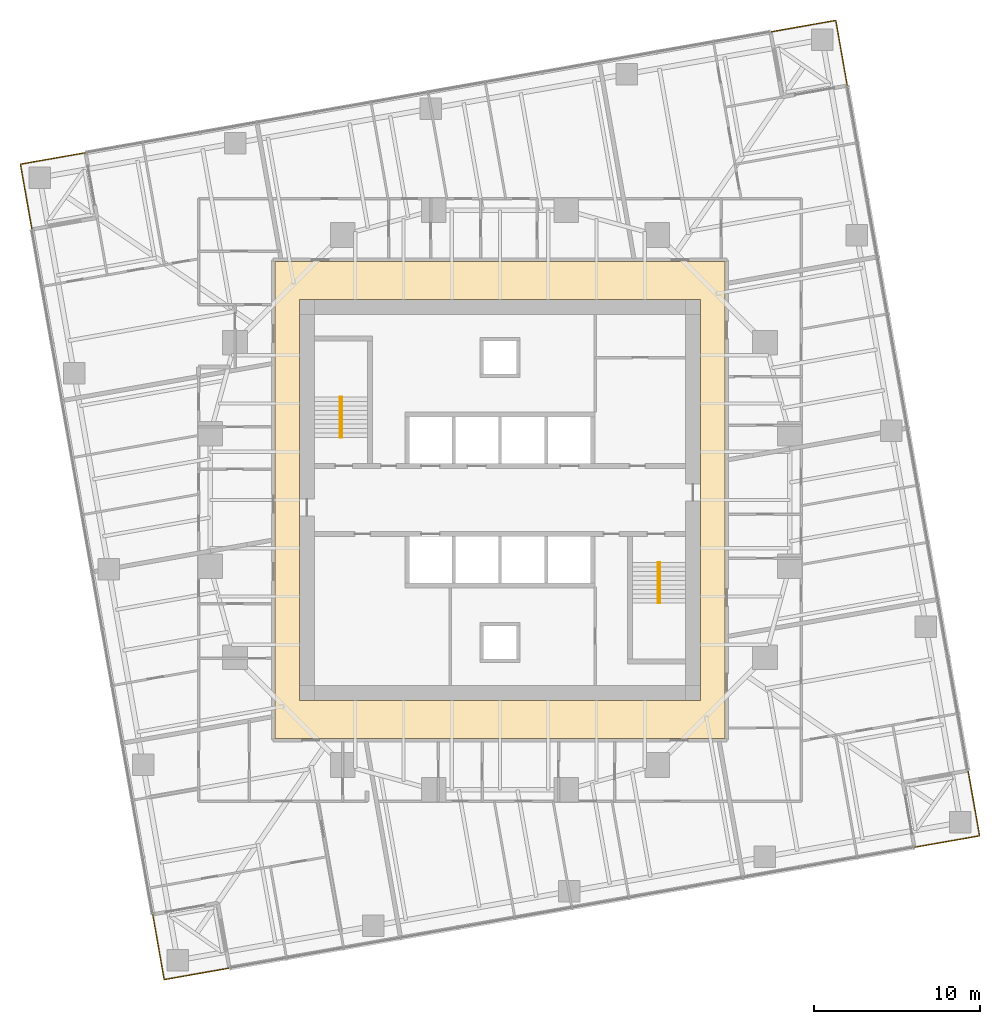
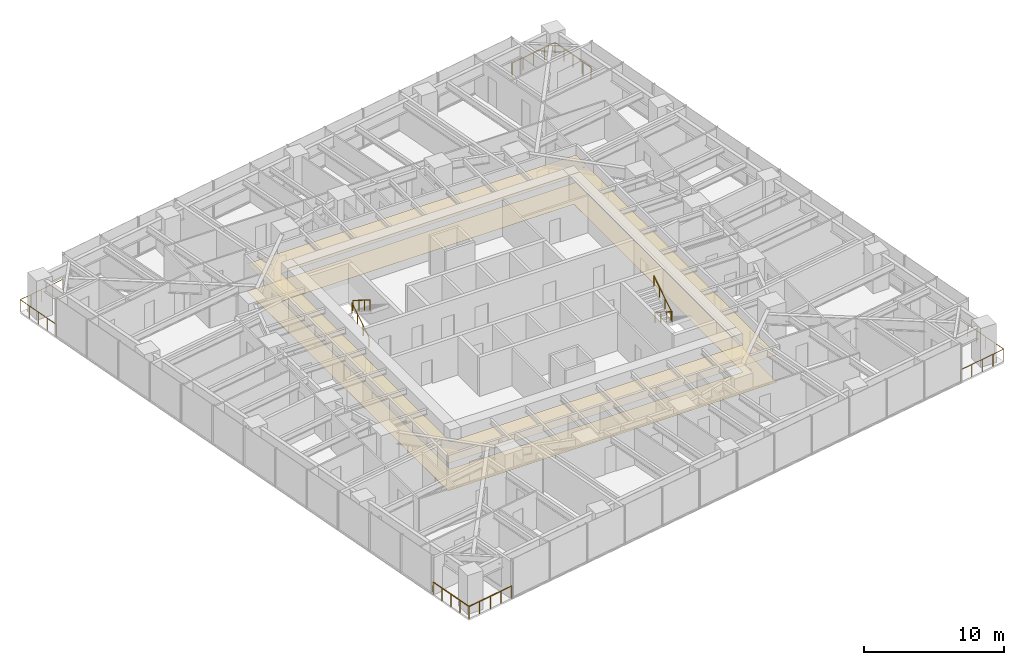
# One storey, part 14 of 14: 8 railings, 2 coverings, 2 elements without a shape of their own.
"""IFC4 building model written with IfcOpenShell, lengths in metres."""

from ifc_helpers import new_model, si_unit, direction, frame, origin, origin_2d, place, context, subcontext, project, spatial, polyline, circle, outline, extrude, material, layer, layer_set, type_object, element, aggregate, save


model = new_model("IFC4")

# Units and contexts
model_context = context("Model", 3, precision=1e-05, world=origin(), true_north=direction((0.0, 1.0)))
body_context = subcontext(model_context, "Body", "Model", "MODEL_VIEW")
ifc_project = project(units=[si_unit("LENGTHUNIT", "METRE"), si_unit("AREAUNIT", "SQUARE_METRE"), si_unit("VOLUMEUNIT", "CUBIC_METRE"), si_unit("PLANEANGLEUNIT", "RADIAN"), si_unit("MASSUNIT", "GRAM", prefix="KILO")], contexts=[model_context])

# Site, building, storey
site_placement = place(None, origin())
site = spatial("IfcSite", under=ifc_project, at=site_placement, CompositionType="ELEMENT")
building_placement = place(site_placement, origin())
building = spatial("IfcBuilding", under=site, at=building_placement, Name="Torsade Residences", CompositionType="ELEMENT")
storey_placement = place(building_placement, frame((0.0, 0.0, 99.800048828125)))
storey = spatial("IfcBuildingStorey", under=building, at=storey_placement, Name="L27", CompositionType="ELEMENT", Elevation=99.800048828125)

# Coverings
ifc_material_1 = material(Name="Nylon carpet tile on underlay", Category="textile")
ifc_layer_1 = layer(ifc_material_1, 0.010009765625)
ifc_layer_set_1 = layer_set([ifc_layer_1], Name="Nylon carpet tile on underlay")
covering_type_1 = type_object("IfcCoveringType", Name="CORRIDOR CARPET TILE 10", PredefinedType="FLOORING", material=ifc_layer_set_1)
covering_1_placement = place(storey_placement, origin())
element("IfcCovering", 1, at=covering_1_placement, inside=storey, type_object=covering_type_1, Name="Corridor carpet L27", PredefinedType="FLOORING", context=body_context, shape_type="SweptSolid", body=[
    extrude(outline(polyline([(53.60009765625, 15.60009765625), (53.60009765625, 44.39990234375), (26.39990234375, 44.39990234375), (26.39990234375, 15.60009765625), (53.60009765625, 15.60009765625)]), holes=[polyline([(52.10009765625, 42.10009765625), (27.89990234375, 42.10009765625), (27.89990234375, 17.89990234375), (52.10009765625, 17.89990234375), (52.10009765625, 42.10009765625)])]), origin(), (0.0, 0.0, 1.0), 0.010009765625),
])
ifc_material_2 = material(Name="Plasterboard on suspended steel grid", Category="steel")
ifc_layer_2 = layer(ifc_material_2, 0.012939453125)
ifc_layer_set_2 = layer_set([ifc_layer_2], Name="Plasterboard on suspended steel grid")
covering_type_2 = type_object("IfcCoveringType", Name="CORRIDOR SUSPENDED CEILING 13", PredefinedType="CEILING", material=ifc_layer_set_2)
covering_2_placement = place(storey_placement, frame((0.0, 0.0, 2.39990234375)))
element("IfcCovering", 2, at=covering_2_placement, inside=storey, type_object=covering_type_2, Name="Corridor ceiling L27", PredefinedType="CEILING", context=body_context, shape_type="SweptSolid", body=[
    extrude(outline(polyline([(53.60009765625, 15.60009765625), (53.60009765625, 44.39990234375), (26.39990234375, 44.39990234375), (26.39990234375, 15.60009765625), (53.60009765625, 15.60009765625)]), holes=[polyline([(52.10009765625, 42.10009765625), (27.89990234375, 42.10009765625), (27.89990234375, 17.89990234375), (52.10009765625, 17.89990234375), (52.10009765625, 42.10009765625)])]), origin(), (0.0, 0.0, 1.0), 0.012939453125),
])

# Stair, railings
ifc_material_3 = material(Name="Precast concrete 40 MPa", Category="concrete")
stair_type = type_object("IfcStairType", Name="HALF-TURN FIRE STAIR 1500x3400", PredefinedType="HALF_TURN_STAIR", material=ifc_material_3)
stair_1_placement = place(storey_placement, origin())
stair_1 = element("IfcStair", 3, at=stair_1_placement, inside=storey, type_object=stair_type, Name="Stair ST1 L27", PredefinedType="HALF_TURN_STAIR")
ifc_material_4 = material(Name="Steel handrail", Category="steel")
railing_type_1 = type_object("IfcRailingType", Name="STAIR HANDRAIL 900", PredefinedType="HANDRAIL", material=ifc_material_4)
railing_1_placement = place(storey_placement, frame((30.35009765625, 33.780029296875, 0.169921875)))
railing_1 = element("IfcRailing", 4, at=railing_1_placement, type_object=railing_type_1, Name="Handrail ST1 flight 1 L27", PredefinedType="HANDRAIL", context=body_context, shape_type="SweptSolid", body=[
    extrude(circle(Radius=0.02392578125, at=origin_2d()), frame((0.0, 0.0, 0.8759765625), z_axis=(0.0, 0.846221481393, 0.532831309544), x_axis=(-1.0, 0.0, 0.0)), (0.0, 0.0, 1.0), 2.87158203125),
    extrude(circle(Radius=0.02099609375, at=origin_2d()), origin(), (0.0, 0.0, 1.0), 0.851806640625),
    extrude(circle(Radius=0.02099609375, at=origin_2d()), frame((0.0, 0.81005859375, 0.510009765625)), (0.0, 0.0, 1.0), 0.851806640625),
    extrude(circle(Radius=0.02099609375, at=origin_2d()), frame((0.0, 1.619873046875, 1.02001953125)), (0.0, 0.0, 1.0), 0.851806640625),
    extrude(circle(Radius=0.02099609375, at=origin_2d()), frame((0.0, 2.429931640625, 1.530029296875)), (0.0, 0.0, 1.0), 0.851806640625),
])
railing_2_placement = place(storey_placement, frame((30.449951171875, 36.2099609375, 1.869873046875)))
railing_2 = element("IfcRailing", 5, at=railing_2_placement, type_object=railing_type_1, Name="Handrail ST1 flight 2 L27", PredefinedType="HANDRAIL", context=body_context, shape_type="SweptSolid", body=[
    extrude(circle(Radius=0.02392578125, at=origin_2d()), frame((0.0, 0.0, 0.8759765625), z_axis=(0.0, -0.846221481393, 0.532831309544), x_axis=(1.0, 0.0, 0.0)), (0.0, 0.0, 1.0), 2.87158203125),
    extrude(circle(Radius=0.02099609375, at=origin_2d()), origin(), (0.0, 0.0, 1.0), 0.851806640625),
    extrude(circle(Radius=0.02099609375, at=origin_2d()), frame((0.0, -0.81005859375, 0.510009765625)), (0.0, 0.0, 1.0), 0.851806640625),
    extrude(circle(Radius=0.02099609375, at=origin_2d()), frame((0.0, -1.619873046875, 1.02001953125)), (0.0, 0.0, 1.0), 0.851806640625),
    extrude(circle(Radius=0.02099609375, at=origin_2d()), frame((0.0, -2.429931640625, 1.530029296875)), (0.0, 0.0, 1.0), 0.851806640625),
])
aggregate(stair_1, [railing_1, railing_2])

stair_2_placement = place(storey_placement, origin())
stair_2 = element("IfcStair", 6, at=stair_2_placement, inside=storey, type_object=stair_type, Name="Stair ST2 L27", PredefinedType="HALF_TURN_STAIR")
railing_3_placement = place(storey_placement, frame((49.64990234375, 26.219970703125, 0.169921875)))
railing_3 = element("IfcRailing", 7, at=railing_3_placement, type_object=railing_type_1, Name="Handrail ST2 flight 1 L27", PredefinedType="HANDRAIL", context=body_context, shape_type="SweptSolid", body=[
    extrude(circle(Radius=0.02392578125, at=origin_2d()), frame((0.0, 0.0, 0.8759765625), z_axis=(0.0, -0.846221481393, 0.532831309544), x_axis=(1.0, 0.0, 0.0)), (0.0, 0.0, 1.0), 2.87158203125),
    extrude(circle(Radius=0.02099609375, at=origin_2d()), origin(), (0.0, 0.0, 1.0), 0.851806640625),
    extrude(circle(Radius=0.02099609375, at=origin_2d()), frame((0.0, -0.81005859375, 0.510009765625)), (0.0, 0.0, 1.0), 0.851806640625),
    extrude(circle(Radius=0.02099609375, at=origin_2d()), frame((0.0, -1.619873046875, 1.02001953125)), (0.0, 0.0, 1.0), 0.851806640625),
    extrude(circle(Radius=0.02099609375, at=origin_2d()), frame((0.0, -2.429931640625, 1.530029296875)), (0.0, 0.0, 1.0), 0.851806640625),
])
railing_4_placement = place(storey_placement, frame((49.550048828125, 23.7900390625, 1.869873046875)))
railing_4 = element("IfcRailing", 8, at=railing_4_placement, type_object=railing_type_1, Name="Handrail ST2 flight 2 L27", PredefinedType="HANDRAIL", context=body_context, shape_type="SweptSolid", body=[
    extrude(circle(Radius=0.02392578125, at=origin_2d()), frame((0.0, 0.0, 0.8759765625), z_axis=(0.0, 0.846221481393, 0.532831309544), x_axis=(-1.0, 0.0, 0.0)), (0.0, 0.0, 1.0), 2.87158203125),
    extrude(circle(Radius=0.02099609375, at=origin_2d()), origin(), (0.0, 0.0, 1.0), 0.851806640625),
    extrude(circle(Radius=0.02099609375, at=origin_2d()), frame((0.0, 0.81005859375, 0.510009765625)), (0.0, 0.0, 1.0), 0.851806640625),
    extrude(circle(Radius=0.02099609375, at=origin_2d()), frame((0.0, 1.619873046875, 1.02001953125)), (0.0, 0.0, 1.0), 0.851806640625),
    extrude(circle(Radius=0.02099609375, at=origin_2d()), frame((0.0, 2.429931640625, 1.530029296875)), (0.0, 0.0, 1.0), 0.851806640625),
])
aggregate(stair_2, [railing_3, railing_4])

# Railings
ifc_material_5 = material(Name="Laminated glass balustrade", Category="glass")
railing_type_2 = type_object("IfcRailingType", Name="TERRACE GLASS BALUSTRADE 1100", PredefinedType="BALUSTRADE", material=ifc_material_5)
railing_5_placement = place(storey_placement, frame((65.022216796875, 9.0263671875, 0.0)))
element("IfcRailing", 9, at=railing_5_placement, inside=storey, type_object=railing_type_2, Name="Terrace balustrade SE L27", PredefinedType="BALUSTRADE", context=body_context, shape_type="SweptSolid", body=[
    extrude(circle(Radius=0.02392578125, at=origin_2d()), frame((0.0, 0.0, 1.076171875), z_axis=(0.984808127031, 0.173646056486, 0.0), x_axis=(-0.173646056486, 0.984808127031, 0.0)), (0.0, 0.0, 1.0), 4.0),
    extrude(circle(Radius=0.02392578125, at=origin_2d()), frame((3.939208984375, 0.694580078125, 1.076171875), z_axis=(-0.173646056486, 0.984808127031, 0.0), x_axis=(-0.984808127031, -0.173646056486, 0.0)), (0.0, 0.0, 1.0), 4.0),
    extrude(circle(Radius=0.02099609375, at=origin_2d()), origin(), (0.0, 0.0, 1.0), 1.052001953125),
    extrude(circle(Radius=0.02099609375, at=origin_2d()), frame((0.98486328125, 0.173583984375, 0.0)), (0.0, 0.0, 1.0), 1.052001953125),
    extrude(circle(Radius=0.02099609375, at=origin_2d()), frame((1.9697265625, 0.34716796875, 0.0)), (0.0, 0.0, 1.0), 1.052001953125),
    extrude(circle(Radius=0.02099609375, at=origin_2d()), frame((2.954345703125, 0.52099609375, 0.0)), (0.0, 0.0, 1.0), 1.052001953125),
    extrude(circle(Radius=0.02099609375, at=origin_2d()), frame((3.939208984375, 0.694580078125, 0.0)), (0.0, 0.0, 1.0), 1.052001953125),
    extrude(circle(Radius=0.02099609375, at=origin_2d()), frame((3.765625, 1.679443359375, 0.0)), (0.0, 0.0, 1.0), 1.052001953125),
    extrude(circle(Radius=0.02099609375, at=origin_2d()), frame((3.591796875, 2.6640625, 0.0)), (0.0, 0.0, 1.0), 1.052001953125),
    extrude(circle(Radius=0.02099609375, at=origin_2d()), frame((3.418212890625, 3.64892578125, 0.0)), (0.0, 0.0, 1.0), 1.052001953125),
    extrude(circle(Radius=0.02099609375, at=origin_2d()), frame((3.24462890625, 4.6337890625, 0.0)), (0.0, 0.0, 1.0), 1.052001953125),
])
railing_6_placement = place(storey_placement, frame((60.9736328125, 55.022216796875, 0.0)))
element("IfcRailing", 10, at=railing_6_placement, inside=storey, type_object=railing_type_2, Name="Terrace balustrade NE L27", PredefinedType="BALUSTRADE", context=body_context, shape_type="SweptSolid", body=[
    extrude(circle(Radius=0.02392578125, at=origin_2d()), frame((0.0, 0.0, 1.076171875), z_axis=(-0.173646056486, 0.984808127031, 0.0), x_axis=(-0.984808127031, -0.173646056486, 0.0)), (0.0, 0.0, 1.0), 4.0),
    extrude(circle(Radius=0.02392578125, at=origin_2d()), frame((-0.694580078125, 3.939208984375, 1.076171875), z_axis=(-0.984808127031, -0.173646056486, 0.0), x_axis=(0.173646056486, -0.984808127031, 0.0)), (0.0, 0.0, 1.0), 4.0),
    extrude(circle(Radius=0.02099609375, at=origin_2d()), origin(), (0.0, 0.0, 1.0), 1.052001953125),
    extrude(circle(Radius=0.02099609375, at=origin_2d()), frame((-0.173583984375, 0.98486328125, 0.0)), (0.0, 0.0, 1.0), 1.052001953125),
    extrude(circle(Radius=0.02099609375, at=origin_2d()), frame((-0.34716796875, 1.9697265625, 0.0)), (0.0, 0.0, 1.0), 1.052001953125),
    extrude(circle(Radius=0.02099609375, at=origin_2d()), frame((-0.52099609375, 2.954345703125, 0.0)), (0.0, 0.0, 1.0), 1.052001953125),
    extrude(circle(Radius=0.02099609375, at=origin_2d()), frame((-0.694580078125, 3.939208984375, 0.0)), (0.0, 0.0, 1.0), 1.052001953125),
    extrude(circle(Radius=0.02099609375, at=origin_2d()), frame((-1.679443359375, 3.765625, 0.0)), (0.0, 0.0, 1.0), 1.052001953125),
    extrude(circle(Radius=0.02099609375, at=origin_2d()), frame((-2.6640625, 3.591796875, 0.0)), (0.0, 0.0, 1.0), 1.052001953125),
    extrude(circle(Radius=0.02099609375, at=origin_2d()), frame((-3.64892578125, 3.418212890625, 0.0)), (0.0, 0.0, 1.0), 1.052001953125),
    extrude(circle(Radius=0.02099609375, at=origin_2d()), frame((-4.6337890625, 3.24462890625, 0.0)), (0.0, 0.0, 1.0), 1.052001953125),
])
railing_7_placement = place(storey_placement, frame((14.977783203125, 50.9736328125, 0.0)))
element("IfcRailing", 11, at=railing_7_placement, inside=storey, type_object=railing_type_2, Name="Terrace balustrade NW L27", PredefinedType="BALUSTRADE", context=body_context, shape_type="SweptSolid", body=[
    extrude(circle(Radius=0.02392578125, at=origin_2d()), frame((0.0, 0.0, 1.076171875), z_axis=(-0.984808127031, -0.173646056486, 0.0), x_axis=(0.173646056486, -0.984808127031, 0.0)), (0.0, 0.0, 1.0), 4.0),
    extrude(circle(Radius=0.02392578125, at=origin_2d()), frame((-3.939208984375, -0.694580078125, 1.076171875), z_axis=(0.173646056486, -0.984808127031, 0.0), x_axis=(0.984808127031, 0.173646056486, 0.0)), (0.0, 0.0, 1.0), 4.0),
    extrude(circle(Radius=0.02099609375, at=origin_2d()), origin(), (0.0, 0.0, 1.0), 1.052001953125),
    extrude(circle(Radius=0.02099609375, at=origin_2d()), frame((-0.98486328125, -0.173583984375, 0.0)), (0.0, 0.0, 1.0), 1.052001953125),
    extrude(circle(Radius=0.02099609375, at=origin_2d()), frame((-1.9697265625, -0.34716796875, 0.0)), (0.0, 0.0, 1.0), 1.052001953125),
    extrude(circle(Radius=0.02099609375, at=origin_2d()), frame((-2.954345703125, -0.52099609375, 0.0)), (0.0, 0.0, 1.0), 1.052001953125),
    extrude(circle(Radius=0.02099609375, at=origin_2d()), frame((-3.939208984375, -0.694580078125, 0.0)), (0.0, 0.0, 1.0), 1.052001953125),
    extrude(circle(Radius=0.02099609375, at=origin_2d()), frame((-3.765625, -1.679443359375, 0.0)), (0.0, 0.0, 1.0), 1.052001953125),
    extrude(circle(Radius=0.02099609375, at=origin_2d()), frame((-3.591796875, -2.6640625, 0.0)), (0.0, 0.0, 1.0), 1.052001953125),
    extrude(circle(Radius=0.02099609375, at=origin_2d()), frame((-3.418212890625, -3.64892578125, 0.0)), (0.0, 0.0, 1.0), 1.052001953125),
    extrude(circle(Radius=0.02099609375, at=origin_2d()), frame((-3.24462890625, -4.6337890625, 0.0)), (0.0, 0.0, 1.0), 1.052001953125),
])
railing_8_placement = place(storey_placement, frame((19.0263671875, 4.977783203125, 0.0)))
element("IfcRailing", 12, at=railing_8_placement, inside=storey, type_object=railing_type_2, Name="Terrace balustrade SW L27", PredefinedType="BALUSTRADE", context=body_context, shape_type="SweptSolid", body=[
    extrude(circle(Radius=0.02392578125, at=origin_2d()), frame((0.0, 0.0, 1.076171875), z_axis=(0.173646056486, -0.984808127031, 0.0), x_axis=(0.984808127031, 0.173646056486, 0.0)), (0.0, 0.0, 1.0), 4.0),
    extrude(circle(Radius=0.02392578125, at=origin_2d()), frame((0.694580078125, -3.939208984375, 1.076171875), z_axis=(0.984808127031, 0.173646056486, 0.0), x_axis=(-0.173646056486, 0.984808127031, 0.0)), (0.0, 0.0, 1.0), 4.0),
    extrude(circle(Radius=0.02099609375, at=origin_2d()), origin(), (0.0, 0.0, 1.0), 1.052001953125),
    extrude(circle(Radius=0.02099609375, at=origin_2d()), frame((0.173583984375, -0.98486328125, 0.0)), (0.0, 0.0, 1.0), 1.052001953125),
    extrude(circle(Radius=0.02099609375, at=origin_2d()), frame((0.34716796875, -1.9697265625, 0.0)), (0.0, 0.0, 1.0), 1.052001953125),
    extrude(circle(Radius=0.02099609375, at=origin_2d()), frame((0.52099609375, -2.954345703125, 0.0)), (0.0, 0.0, 1.0), 1.052001953125),
    extrude(circle(Radius=0.02099609375, at=origin_2d()), frame((0.694580078125, -3.939208984375, 0.0)), (0.0, 0.0, 1.0), 1.052001953125),
    extrude(circle(Radius=0.02099609375, at=origin_2d()), frame((1.679443359375, -3.765625, 0.0)), (0.0, 0.0, 1.0), 1.052001953125),
    extrude(circle(Radius=0.02099609375, at=origin_2d()), frame((2.6640625, -3.591796875, 0.0)), (0.0, 0.0, 1.0), 1.052001953125),
    extrude(circle(Radius=0.02099609375, at=origin_2d()), frame((3.64892578125, -3.418212890625, 0.0)), (0.0, 0.0, 1.0), 1.052001953125),
    extrude(circle(Radius=0.02099609375, at=origin_2d()), frame((4.6337890625, -3.24462890625, 0.0)), (0.0, 0.0, 1.0), 1.052001953125),
])

save(model, "model.ifc")
